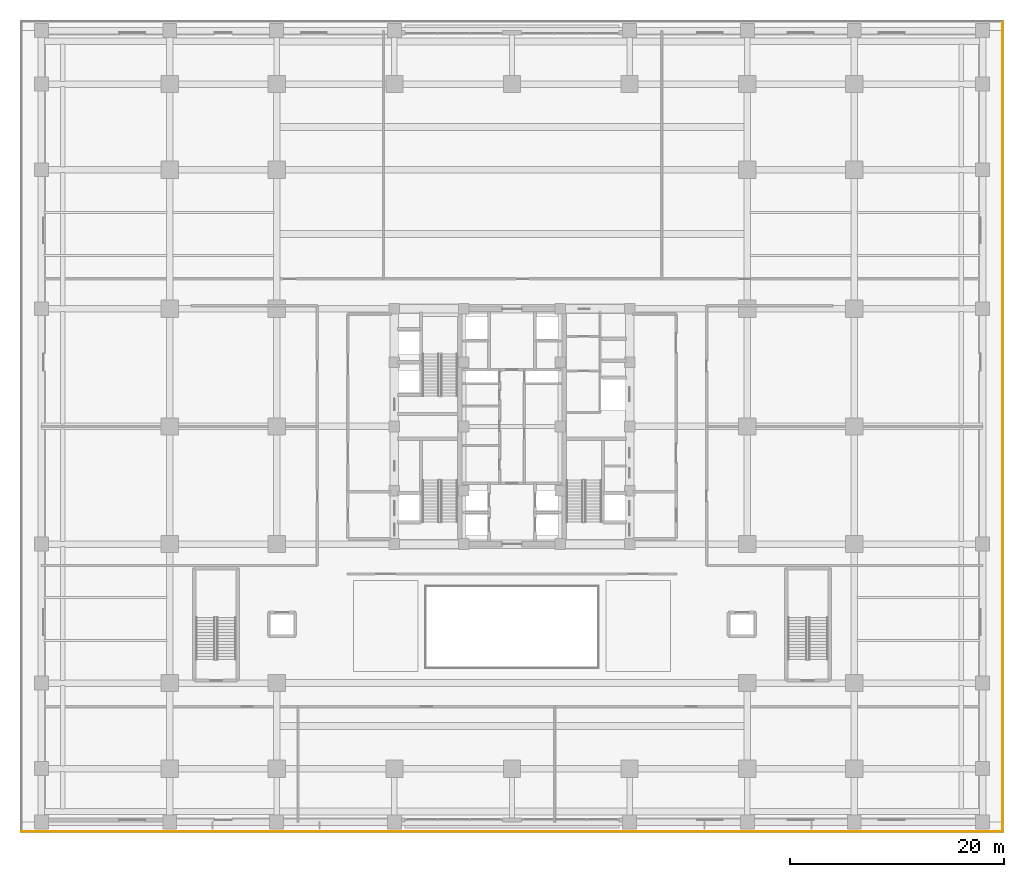
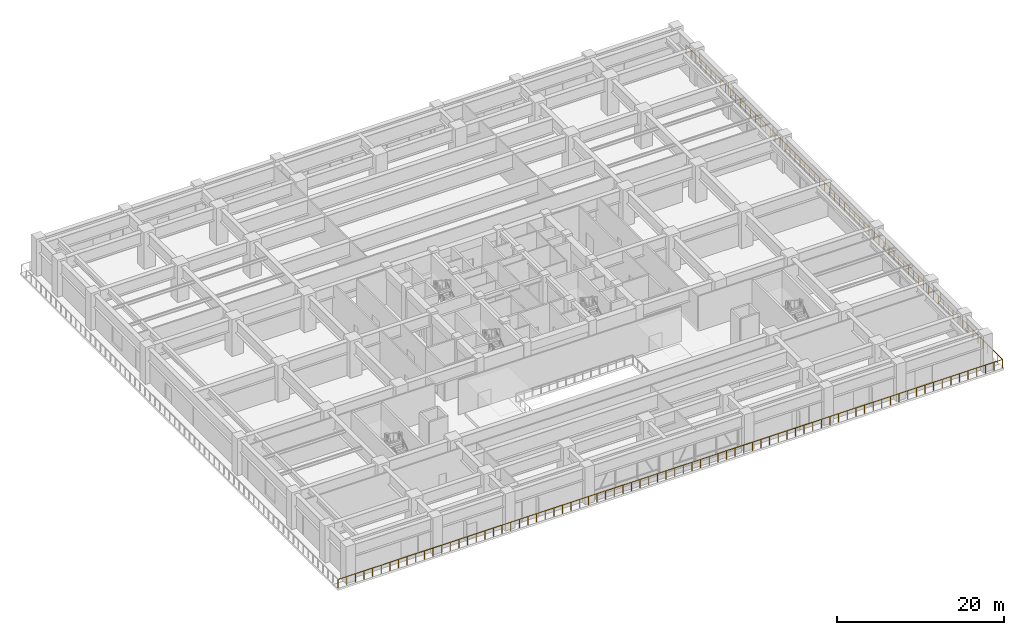
# One storey, part 26 of 28: 1 railing.
"""IFC4 building model written with IfcOpenShell, lengths in metres."""

from ifc_helpers import new_model, si_unit, direction, frame, origin, origin_2d, place, context, subcontext, project, spatial, circle, extrude, source, transform, mapped, material, type_object, element, save


model = new_model("IFC4")

# Units and contexts
model_context = context("Model", 3, precision=1e-05, world=origin(), true_north=direction((0.0, 1.0)))
body_context = subcontext(model_context, "Body", "Model", "MODEL_VIEW")
ifc_project = project(units=[si_unit("LENGTHUNIT", "METRE"), si_unit("AREAUNIT", "SQUARE_METRE"), si_unit("VOLUMEUNIT", "CUBIC_METRE"), si_unit("PLANEANGLEUNIT", "RADIAN"), si_unit("MASSUNIT", "GRAM", prefix="KILO")], contexts=[model_context])

# Site, building, storey
site_placement = place(None, origin())
site = spatial("IfcSite", under=ifc_project, at=site_placement, CompositionType="ELEMENT")
building_placement = place(site_placement, origin())
building = spatial("IfcBuilding", under=site, at=building_placement, Name="Khorayat Bourse Tower", CompositionType="ELEMENT")
storey_placement = place(building_placement, frame((0.0, 0.0, 6.60009765625)))
storey = spatial("IfcBuildingStorey", under=building, at=storey_placement, Name="L01", CompositionType="ELEMENT", Elevation=6.60009765625)

# Railing
ifc_material = material(Name="Laminated glass and bronze balustrade", Category="glass")
railing_type = type_object("IfcRailingType", Name="RLG-TERR-1250", PredefinedType="GUARDRAIL", material=ifc_material)
shared_shape = source(origin(), body_context, "Body", "SweptSolid", [
    extrude(circle(Radius=0.02392578125, at=origin_2d()), frame((0.0, 0.0, 1.22607421875), z_axis=(1.0, 0.0, 0.0), x_axis=(0.0, 1.0, 0.0)), (0.0, 0.0, 1.0), 91.759765625),
    extrude(circle(Radius=0.02392578125, at=origin_2d()), frame((91.759765625, 0.0, 1.22607421875), z_axis=(0.0, 1.0, 0.0), x_axis=(-1.0, 0.0, 0.0)), (0.0, 0.0, 1.0), 75.699951171875),
    extrude(circle(Radius=0.02099609375, at=origin_2d()), origin(), (0.0, 0.0, 1.0), 1.201904296875),
    extrude(circle(Radius=0.02099609375, at=origin_2d()), frame((1.191650390625, 0.0, 0.0)), (0.0, 0.0, 1.0), 1.201904296875),
    extrude(circle(Radius=0.02099609375, at=origin_2d()), frame((2.38330078125, 0.0, 0.0)), (0.0, 0.0, 1.0), 1.201904296875),
    extrude(circle(Radius=0.02099609375, at=origin_2d()), frame((3.574951171875, 0.0, 0.0)), (0.0, 0.0, 1.0), 1.201904296875),
    extrude(circle(Radius=0.02099609375, at=origin_2d()), frame((4.766845703125, 0.0, 0.0)), (0.0, 0.0, 1.0), 1.201904296875),
    extrude(circle(Radius=0.02099609375, at=origin_2d()), frame((5.95849609375, 0.0, 0.0)), (0.0, 0.0, 1.0), 1.201904296875),
    extrude(circle(Radius=0.02099609375, at=origin_2d()), frame((7.150146484375, 0.0, 0.0)), (0.0, 0.0, 1.0), 1.201904296875),
    extrude(circle(Radius=0.02099609375, at=origin_2d()), frame((8.341796875, 0.0, 0.0)), (0.0, 0.0, 1.0), 1.201904296875),
    extrude(circle(Radius=0.02099609375, at=origin_2d()), frame((9.533447265625, 0.0, 0.0)), (0.0, 0.0, 1.0), 1.201904296875),
    extrude(circle(Radius=0.02099609375, at=origin_2d()), frame((10.72509765625, 0.0, 0.0)), (0.0, 0.0, 1.0), 1.201904296875),
    extrude(circle(Radius=0.02099609375, at=origin_2d()), frame((11.916748046875, 0.0, 0.0)), (0.0, 0.0, 1.0), 1.201904296875),
    extrude(circle(Radius=0.02099609375, at=origin_2d()), frame((13.108642578125, 0.0, 0.0)), (0.0, 0.0, 1.0), 1.201904296875),
    extrude(circle(Radius=0.02099609375, at=origin_2d()), frame((14.30029296875, 0.0, 0.0)), (0.0, 0.0, 1.0), 1.201904296875),
    extrude(circle(Radius=0.02099609375, at=origin_2d()), frame((15.491943359375, 0.0, 0.0)), (0.0, 0.0, 1.0), 1.201904296875),
    extrude(circle(Radius=0.02099609375, at=origin_2d()), frame((16.68359375, 0.0, 0.0)), (0.0, 0.0, 1.0), 1.201904296875),
    extrude(circle(Radius=0.02099609375, at=origin_2d()), frame((17.875244140625, 0.0, 0.0)), (0.0, 0.0, 1.0), 1.201904296875),
    extrude(circle(Radius=0.02099609375, at=origin_2d()), frame((19.06689453125, 0.0, 0.0)), (0.0, 0.0, 1.0), 1.201904296875),
    extrude(circle(Radius=0.02099609375, at=origin_2d()), frame((20.258544921875, 0.0, 0.0)), (0.0, 0.0, 1.0), 1.201904296875),
    extrude(circle(Radius=0.02099609375, at=origin_2d()), frame((21.450439453125, 0.0, 0.0)), (0.0, 0.0, 1.0), 1.201904296875),
    extrude(circle(Radius=0.02099609375, at=origin_2d()), frame((22.64208984375, 0.0, 0.0)), (0.0, 0.0, 1.0), 1.201904296875),
    extrude(circle(Radius=0.02099609375, at=origin_2d()), frame((23.833740234375, 0.0, 0.0)), (0.0, 0.0, 1.0), 1.201904296875),
    extrude(circle(Radius=0.02099609375, at=origin_2d()), frame((25.025390625, 0.0, 0.0)), (0.0, 0.0, 1.0), 1.201904296875),
    extrude(circle(Radius=0.02099609375, at=origin_2d()), frame((26.217041015625, 0.0, 0.0)), (0.0, 0.0, 1.0), 1.201904296875),
    extrude(circle(Radius=0.02099609375, at=origin_2d()), frame((27.40869140625, 0.0, 0.0)), (0.0, 0.0, 1.0), 1.201904296875),
    extrude(circle(Radius=0.02099609375, at=origin_2d()), frame((28.600341796875, 0.0, 0.0)), (0.0, 0.0, 1.0), 1.201904296875),
    extrude(circle(Radius=0.02099609375, at=origin_2d()), frame((29.792236328125, 0.0, 0.0)), (0.0, 0.0, 1.0), 1.201904296875),
    extrude(circle(Radius=0.02099609375, at=origin_2d()), frame((30.98388671875, 0.0, 0.0)), (0.0, 0.0, 1.0), 1.201904296875),
    extrude(circle(Radius=0.02099609375, at=origin_2d()), frame((32.175537109375, 0.0, 0.0)), (0.0, 0.0, 1.0), 1.201904296875),
    extrude(circle(Radius=0.02099609375, at=origin_2d()), frame((33.3671875, 0.0, 0.0)), (0.0, 0.0, 1.0), 1.201904296875),
    extrude(circle(Radius=0.02099609375, at=origin_2d()), frame((34.558837890625, 0.0, 0.0)), (0.0, 0.0, 1.0), 1.201904296875),
    extrude(circle(Radius=0.02099609375, at=origin_2d()), frame((35.75048828125, 0.0, 0.0)), (0.0, 0.0, 1.0), 1.201904296875),
    extrude(circle(Radius=0.02099609375, at=origin_2d()), frame((36.942138671875, 0.0, 0.0)), (0.0, 0.0, 1.0), 1.201904296875),
    extrude(circle(Radius=0.02099609375, at=origin_2d()), frame((38.134033203125, 0.0, 0.0)), (0.0, 0.0, 1.0), 1.201904296875),
    extrude(circle(Radius=0.02099609375, at=origin_2d()), frame((39.32568359375, 0.0, 0.0)), (0.0, 0.0, 1.0), 1.201904296875),
    extrude(circle(Radius=0.02099609375, at=origin_2d()), frame((40.517333984375, 0.0, 0.0)), (0.0, 0.0, 1.0), 1.201904296875),
    extrude(circle(Radius=0.02099609375, at=origin_2d()), frame((41.708984375, 0.0, 0.0)), (0.0, 0.0, 1.0), 1.201904296875),
    extrude(circle(Radius=0.02099609375, at=origin_2d()), frame((42.900634765625, 0.0, 0.0)), (0.0, 0.0, 1.0), 1.201904296875),
    extrude(circle(Radius=0.02099609375, at=origin_2d()), frame((44.09228515625, 0.0, 0.0)), (0.0, 0.0, 1.0), 1.201904296875),
    extrude(circle(Radius=0.02099609375, at=origin_2d()), frame((45.283935546875, 0.0, 0.0)), (0.0, 0.0, 1.0), 1.201904296875),
    extrude(circle(Radius=0.02099609375, at=origin_2d()), frame((46.475830078125, 0.0, 0.0)), (0.0, 0.0, 1.0), 1.201904296875),
    extrude(circle(Radius=0.02099609375, at=origin_2d()), frame((47.66748046875, 0.0, 0.0)), (0.0, 0.0, 1.0), 1.201904296875),
    extrude(circle(Radius=0.02099609375, at=origin_2d()), frame((48.859130859375, 0.0, 0.0)), (0.0, 0.0, 1.0), 1.201904296875),
    extrude(circle(Radius=0.02099609375, at=origin_2d()), frame((50.05078125, 0.0, 0.0)), (0.0, 0.0, 1.0), 1.201904296875),
    extrude(circle(Radius=0.02099609375, at=origin_2d()), frame((51.242431640625, 0.0, 0.0)), (0.0, 0.0, 1.0), 1.201904296875),
    extrude(circle(Radius=0.02099609375, at=origin_2d()), frame((52.43408203125, 0.0, 0.0)), (0.0, 0.0, 1.0), 1.201904296875),
    extrude(circle(Radius=0.02099609375, at=origin_2d()), frame((53.625732421875, 0.0, 0.0)), (0.0, 0.0, 1.0), 1.201904296875),
    extrude(circle(Radius=0.02099609375, at=origin_2d()), frame((54.817626953125, 0.0, 0.0)), (0.0, 0.0, 1.0), 1.201904296875),
    extrude(circle(Radius=0.02099609375, at=origin_2d()), frame((56.00927734375, 0.0, 0.0)), (0.0, 0.0, 1.0), 1.201904296875),
    extrude(circle(Radius=0.02099609375, at=origin_2d()), frame((57.200927734375, 0.0, 0.0)), (0.0, 0.0, 1.0), 1.201904296875),
    extrude(circle(Radius=0.02099609375, at=origin_2d()), frame((58.392578125, 0.0, 0.0)), (0.0, 0.0, 1.0), 1.201904296875),
    extrude(circle(Radius=0.02099609375, at=origin_2d()), frame((59.584228515625, 0.0, 0.0)), (0.0, 0.0, 1.0), 1.201904296875),
    extrude(circle(Radius=0.02099609375, at=origin_2d()), frame((60.77587890625, 0.0, 0.0)), (0.0, 0.0, 1.0), 1.201904296875),
    extrude(circle(Radius=0.02099609375, at=origin_2d()), frame((61.967529296875, 0.0, 0.0)), (0.0, 0.0, 1.0), 1.201904296875),
    extrude(circle(Radius=0.02099609375, at=origin_2d()), frame((63.159423828125, 0.0, 0.0)), (0.0, 0.0, 1.0), 1.201904296875),
    extrude(circle(Radius=0.02099609375, at=origin_2d()), frame((64.35107421875, 0.0, 0.0)), (0.0, 0.0, 1.0), 1.201904296875),
    extrude(circle(Radius=0.02099609375, at=origin_2d()), frame((65.542724609375, 0.0, 0.0)), (0.0, 0.0, 1.0), 1.201904296875),
    extrude(circle(Radius=0.02099609375, at=origin_2d()), frame((66.734375, 0.0, 0.0)), (0.0, 0.0, 1.0), 1.201904296875),
    extrude(circle(Radius=0.02099609375, at=origin_2d()), frame((67.926025390625, 0.0, 0.0)), (0.0, 0.0, 1.0), 1.201904296875),
    extrude(circle(Radius=0.02099609375, at=origin_2d()), frame((69.11767578125, 0.0, 0.0)), (0.0, 0.0, 1.0), 1.201904296875),
    extrude(circle(Radius=0.02099609375, at=origin_2d()), frame((70.309326171875, 0.0, 0.0)), (0.0, 0.0, 1.0), 1.201904296875),
    extrude(circle(Radius=0.02099609375, at=origin_2d()), frame((71.501220703125, 0.0, 0.0)), (0.0, 0.0, 1.0), 1.201904296875),
    extrude(circle(Radius=0.02099609375, at=origin_2d()), frame((72.69287109375, 0.0, 0.0)), (0.0, 0.0, 1.0), 1.201904296875),
    extrude(circle(Radius=0.02099609375, at=origin_2d()), frame((73.884521484375, 0.0, 0.0)), (0.0, 0.0, 1.0), 1.201904296875),
    extrude(circle(Radius=0.02099609375, at=origin_2d()), frame((75.076171875, 0.0, 0.0)), (0.0, 0.0, 1.0), 1.201904296875),
    extrude(circle(Radius=0.02099609375, at=origin_2d()), frame((76.267822265625, 0.0, 0.0)), (0.0, 0.0, 1.0), 1.201904296875),
    extrude(circle(Radius=0.02099609375, at=origin_2d()), frame((77.45947265625, 0.0, 0.0)), (0.0, 0.0, 1.0), 1.201904296875),
    extrude(circle(Radius=0.02099609375, at=origin_2d()), frame((78.651123046875, 0.0, 0.0)), (0.0, 0.0, 1.0), 1.201904296875),
    extrude(circle(Radius=0.02099609375, at=origin_2d()), frame((79.843017578125, 0.0, 0.0)), (0.0, 0.0, 1.0), 1.201904296875),
    extrude(circle(Radius=0.02099609375, at=origin_2d()), frame((81.03466796875, 0.0, 0.0)), (0.0, 0.0, 1.0), 1.201904296875),
    extrude(circle(Radius=0.02099609375, at=origin_2d()), frame((82.226318359375, 0.0, 0.0)), (0.0, 0.0, 1.0), 1.201904296875),
    extrude(circle(Radius=0.02099609375, at=origin_2d()), frame((83.41796875, 0.0, 0.0)), (0.0, 0.0, 1.0), 1.201904296875),
    extrude(circle(Radius=0.02099609375, at=origin_2d()), frame((84.609619140625, 0.0, 0.0)), (0.0, 0.0, 1.0), 1.201904296875),
    extrude(circle(Radius=0.02099609375, at=origin_2d()), frame((85.80126953125, 0.0, 0.0)), (0.0, 0.0, 1.0), 1.201904296875),
    extrude(circle(Radius=0.02099609375, at=origin_2d()), frame((86.992919921875, 0.0, 0.0)), (0.0, 0.0, 1.0), 1.201904296875),
    extrude(circle(Radius=0.02099609375, at=origin_2d()), frame((88.184814453125, 0.0, 0.0)), (0.0, 0.0, 1.0), 1.201904296875),
    extrude(circle(Radius=0.02099609375, at=origin_2d()), frame((89.37646484375, 0.0, 0.0)), (0.0, 0.0, 1.0), 1.201904296875),
    extrude(circle(Radius=0.02099609375, at=origin_2d()), frame((90.568115234375, 0.0, 0.0)), (0.0, 0.0, 1.0), 1.201904296875),
    extrude(circle(Radius=0.02099609375, at=origin_2d()), frame((91.759765625, 0.0, 0.0)), (0.0, 0.0, 1.0), 1.201904296875),
    extrude(circle(Radius=0.02099609375, at=origin_2d()), frame((91.759765625, 1.182861328125, 0.0)), (0.0, 0.0, 1.0), 1.201904296875),
    extrude(circle(Radius=0.02099609375, at=origin_2d()), frame((91.759765625, 2.36572265625, 0.0)), (0.0, 0.0, 1.0), 1.201904296875),
    extrude(circle(Radius=0.02099609375, at=origin_2d()), frame((91.759765625, 3.54833984375, 0.0)), (0.0, 0.0, 1.0), 1.201904296875),
    extrude(circle(Radius=0.02099609375, at=origin_2d()), frame((91.759765625, 4.731201171875, 0.0)), (0.0, 0.0, 1.0), 1.201904296875),
    extrude(circle(Radius=0.02099609375, at=origin_2d()), frame((91.759765625, 5.9140625, 0.0)), (0.0, 0.0, 1.0), 1.201904296875),
    extrude(circle(Radius=0.02099609375, at=origin_2d()), frame((91.759765625, 7.096923828125, 0.0)), (0.0, 0.0, 1.0), 1.201904296875),
    extrude(circle(Radius=0.02099609375, at=origin_2d()), frame((91.759765625, 8.27978515625, 0.0)), (0.0, 0.0, 1.0), 1.201904296875),
    extrude(circle(Radius=0.02099609375, at=origin_2d()), frame((91.759765625, 9.46240234375, 0.0)), (0.0, 0.0, 1.0), 1.201904296875),
    extrude(circle(Radius=0.02099609375, at=origin_2d()), frame((91.759765625, 10.645263671875, 0.0)), (0.0, 0.0, 1.0), 1.201904296875),
    extrude(circle(Radius=0.02099609375, at=origin_2d()), frame((91.759765625, 11.828125, 0.0)), (0.0, 0.0, 1.0), 1.201904296875),
    extrude(circle(Radius=0.02099609375, at=origin_2d()), frame((91.759765625, 13.010986328125, 0.0)), (0.0, 0.0, 1.0), 1.201904296875),
    extrude(circle(Radius=0.02099609375, at=origin_2d()), frame((91.759765625, 14.19384765625, 0.0)), (0.0, 0.0, 1.0), 1.201904296875),
    extrude(circle(Radius=0.02099609375, at=origin_2d()), frame((91.759765625, 15.37646484375, 0.0)), (0.0, 0.0, 1.0), 1.201904296875),
    extrude(circle(Radius=0.02099609375, at=origin_2d()), frame((91.759765625, 16.559326171875, 0.0)), (0.0, 0.0, 1.0), 1.201904296875),
    extrude(circle(Radius=0.02099609375, at=origin_2d()), frame((91.759765625, 17.7421875, 0.0)), (0.0, 0.0, 1.0), 1.201904296875),
    extrude(circle(Radius=0.02099609375, at=origin_2d()), frame((91.759765625, 18.925048828125, 0.0)), (0.0, 0.0, 1.0), 1.201904296875),
    extrude(circle(Radius=0.02099609375, at=origin_2d()), frame((91.759765625, 20.10791015625, 0.0)), (0.0, 0.0, 1.0), 1.201904296875),
    extrude(circle(Radius=0.02099609375, at=origin_2d()), frame((91.759765625, 21.29052734375, 0.0)), (0.0, 0.0, 1.0), 1.201904296875),
    extrude(circle(Radius=0.02099609375, at=origin_2d()), frame((91.759765625, 22.473388671875, 0.0)), (0.0, 0.0, 1.0), 1.201904296875),
    extrude(circle(Radius=0.02099609375, at=origin_2d()), frame((91.759765625, 23.65625, 0.0)), (0.0, 0.0, 1.0), 1.201904296875),
    extrude(circle(Radius=0.02099609375, at=origin_2d()), frame((91.759765625, 24.839111328125, 0.0)), (0.0, 0.0, 1.0), 1.201904296875),
    extrude(circle(Radius=0.02099609375, at=origin_2d()), frame((91.759765625, 26.02197265625, 0.0)), (0.0, 0.0, 1.0), 1.201904296875),
    extrude(circle(Radius=0.02099609375, at=origin_2d()), frame((91.759765625, 27.20458984375, 0.0)), (0.0, 0.0, 1.0), 1.201904296875),
    extrude(circle(Radius=0.02099609375, at=origin_2d()), frame((91.759765625, 28.387451171875, 0.0)), (0.0, 0.0, 1.0), 1.201904296875),
    extrude(circle(Radius=0.02099609375, at=origin_2d()), frame((91.759765625, 29.5703125, 0.0)), (0.0, 0.0, 1.0), 1.201904296875),
    extrude(circle(Radius=0.02099609375, at=origin_2d()), frame((91.759765625, 30.753173828125, 0.0)), (0.0, 0.0, 1.0), 1.201904296875),
    extrude(circle(Radius=0.02099609375, at=origin_2d()), frame((91.759765625, 31.93603515625, 0.0)), (0.0, 0.0, 1.0), 1.201904296875),
    extrude(circle(Radius=0.02099609375, at=origin_2d()), frame((91.759765625, 33.11865234375, 0.0)), (0.0, 0.0, 1.0), 1.201904296875),
    extrude(circle(Radius=0.02099609375, at=origin_2d()), frame((91.759765625, 34.301513671875, 0.0)), (0.0, 0.0, 1.0), 1.201904296875),
    extrude(circle(Radius=0.02099609375, at=origin_2d()), frame((91.759765625, 35.484375, 0.0)), (0.0, 0.0, 1.0), 1.201904296875),
    extrude(circle(Radius=0.02099609375, at=origin_2d()), frame((91.759765625, 36.667236328125, 0.0)), (0.0, 0.0, 1.0), 1.201904296875),
    extrude(circle(Radius=0.02099609375, at=origin_2d()), frame((91.759765625, 37.85009765625, 0.0)), (0.0, 0.0, 1.0), 1.201904296875),
    extrude(circle(Radius=0.02099609375, at=origin_2d()), frame((91.759765625, 39.03271484375, 0.0)), (0.0, 0.0, 1.0), 1.201904296875),
    extrude(circle(Radius=0.02099609375, at=origin_2d()), frame((91.759765625, 40.215576171875, 0.0)), (0.0, 0.0, 1.0), 1.201904296875),
    extrude(circle(Radius=0.02099609375, at=origin_2d()), frame((91.759765625, 41.3984375, 0.0)), (0.0, 0.0, 1.0), 1.201904296875),
    extrude(circle(Radius=0.02099609375, at=origin_2d()), frame((91.759765625, 42.581298828125, 0.0)), (0.0, 0.0, 1.0), 1.201904296875),
    extrude(circle(Radius=0.02099609375, at=origin_2d()), frame((91.759765625, 43.763916015625, 0.0)), (0.0, 0.0, 1.0), 1.201904296875),
    extrude(circle(Radius=0.02099609375, at=origin_2d()), frame((91.759765625, 44.94677734375, 0.0)), (0.0, 0.0, 1.0), 1.201904296875),
    extrude(circle(Radius=0.02099609375, at=origin_2d()), frame((91.759765625, 46.129638671875, 0.0)), (0.0, 0.0, 1.0), 1.201904296875),
    extrude(circle(Radius=0.02099609375, at=origin_2d()), frame((91.759765625, 47.3125, 0.0)), (0.0, 0.0, 1.0), 1.201904296875),
    extrude(circle(Radius=0.02099609375, at=origin_2d()), frame((91.759765625, 48.495361328125, 0.0)), (0.0, 0.0, 1.0), 1.201904296875),
    extrude(circle(Radius=0.02099609375, at=origin_2d()), frame((91.759765625, 49.677978515625, 0.0)), (0.0, 0.0, 1.0), 1.201904296875),
    extrude(circle(Radius=0.02099609375, at=origin_2d()), frame((91.759765625, 50.86083984375, 0.0)), (0.0, 0.0, 1.0), 1.201904296875),
    extrude(circle(Radius=0.02099609375, at=origin_2d()), frame((91.759765625, 52.043701171875, 0.0)), (0.0, 0.0, 1.0), 1.201904296875),
    extrude(circle(Radius=0.02099609375, at=origin_2d()), frame((91.759765625, 53.2265625, 0.0)), (0.0, 0.0, 1.0), 1.201904296875),
    extrude(circle(Radius=0.02099609375, at=origin_2d()), frame((91.759765625, 54.409423828125, 0.0)), (0.0, 0.0, 1.0), 1.201904296875),
    extrude(circle(Radius=0.02099609375, at=origin_2d()), frame((91.759765625, 55.592041015625, 0.0)), (0.0, 0.0, 1.0), 1.201904296875),
    extrude(circle(Radius=0.02099609375, at=origin_2d()), frame((91.759765625, 56.77490234375, 0.0)), (0.0, 0.0, 1.0), 1.201904296875),
    extrude(circle(Radius=0.02099609375, at=origin_2d()), frame((91.759765625, 57.957763671875, 0.0)), (0.0, 0.0, 1.0), 1.201904296875),
    extrude(circle(Radius=0.02099609375, at=origin_2d()), frame((91.759765625, 59.140625, 0.0)), (0.0, 0.0, 1.0), 1.201904296875),
    extrude(circle(Radius=0.02099609375, at=origin_2d()), frame((91.759765625, 60.323486328125, 0.0)), (0.0, 0.0, 1.0), 1.201904296875),
    extrude(circle(Radius=0.02099609375, at=origin_2d()), frame((91.759765625, 61.506103515625, 0.0)), (0.0, 0.0, 1.0), 1.201904296875),
    extrude(circle(Radius=0.02099609375, at=origin_2d()), frame((91.759765625, 62.68896484375, 0.0)), (0.0, 0.0, 1.0), 1.201904296875),
    extrude(circle(Radius=0.02099609375, at=origin_2d()), frame((91.759765625, 63.871826171875, 0.0)), (0.0, 0.0, 1.0), 1.201904296875),
    extrude(circle(Radius=0.02099609375, at=origin_2d()), frame((91.759765625, 65.0546875, 0.0)), (0.0, 0.0, 1.0), 1.201904296875),
    extrude(circle(Radius=0.02099609375, at=origin_2d()), frame((91.759765625, 66.237548828125, 0.0)), (0.0, 0.0, 1.0), 1.201904296875),
    extrude(circle(Radius=0.02099609375, at=origin_2d()), frame((91.759765625, 67.420166015625, 0.0)), (0.0, 0.0, 1.0), 1.201904296875),
    extrude(circle(Radius=0.02099609375, at=origin_2d()), frame((91.759765625, 68.60302734375, 0.0)), (0.0, 0.0, 1.0), 1.201904296875),
    extrude(circle(Radius=0.02099609375, at=origin_2d()), frame((91.759765625, 69.785888671875, 0.0)), (0.0, 0.0, 1.0), 1.201904296875),
    extrude(circle(Radius=0.02099609375, at=origin_2d()), frame((91.759765625, 70.96875, 0.0)), (0.0, 0.0, 1.0), 1.201904296875),
    extrude(circle(Radius=0.02099609375, at=origin_2d()), frame((91.759765625, 72.151611328125, 0.0)), (0.0, 0.0, 1.0), 1.201904296875),
    extrude(circle(Radius=0.02099609375, at=origin_2d()), frame((91.759765625, 73.334228515625, 0.0)), (0.0, 0.0, 1.0), 1.201904296875),
    extrude(circle(Radius=0.02099609375, at=origin_2d()), frame((91.759765625, 74.51708984375, 0.0)), (0.0, 0.0, 1.0), 1.201904296875),
    extrude(circle(Radius=0.02099609375, at=origin_2d()), frame((91.759765625, 75.699951171875, 0.0)), (0.0, 0.0, 1.0), 1.201904296875),
])
railing_placement = place(storey_placement, frame((-45.8798828125, -37.8798828125, 0.0)))
element("IfcRailing", 1, at=railing_placement, inside=storey, type_object=railing_type, Name="L01 Cascading Terrace Perimeter Guard SE", PredefinedType="GUARDRAIL", context=body_context, shape_type="MappedRepresentation", body=[
    mapped(shared_shape, transform((0.0, 0.0, 0.0), scale=1.0)),
])

save(model, "model.ifc")
